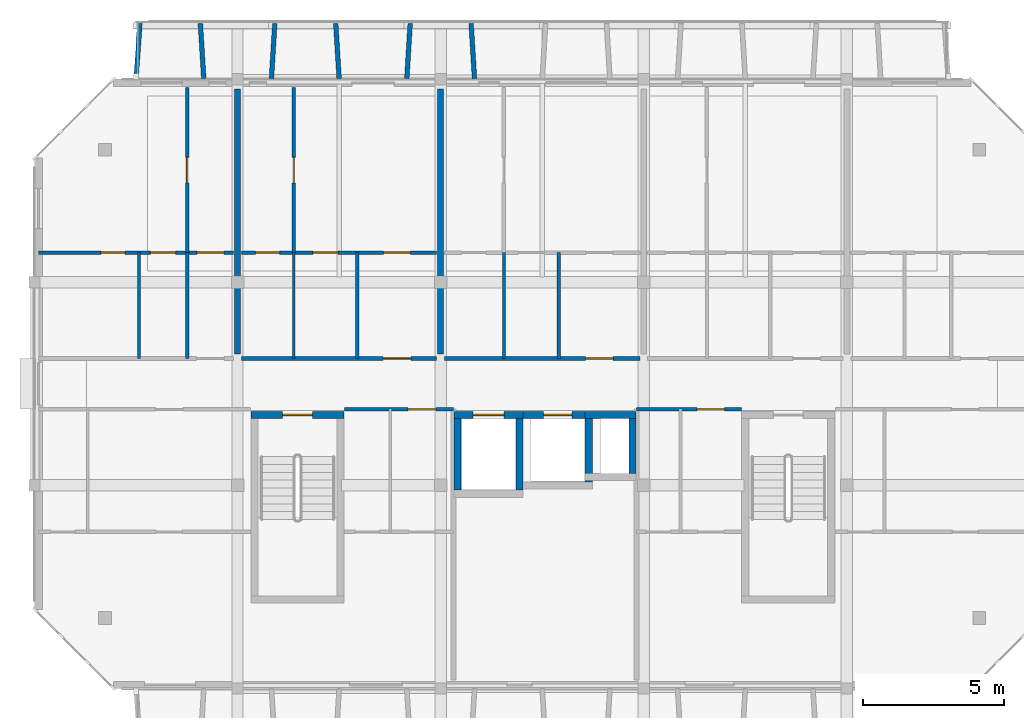
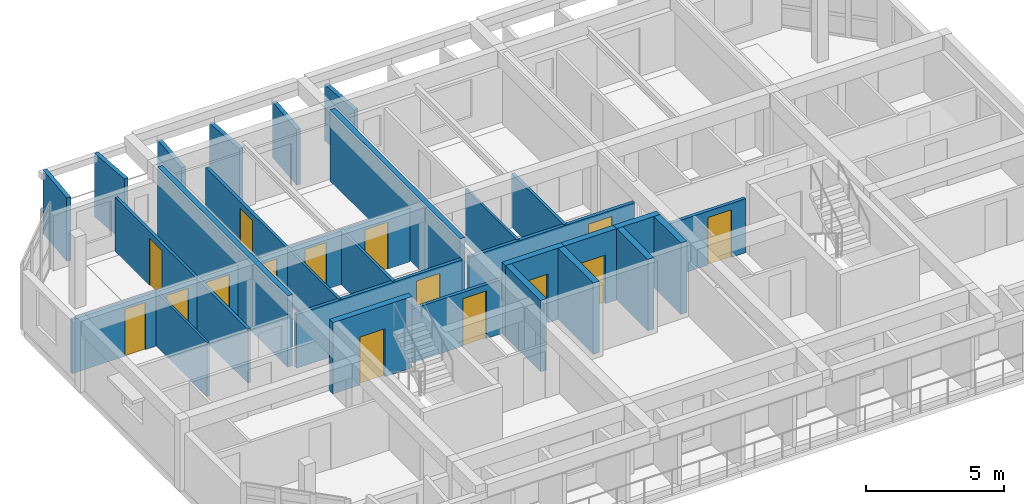
# One storey, part 12 of 19: 30 walls, 15 doors, 15 openings.
"""IFC4 building model written with IfcOpenShell, lengths in metres."""

import ifcopenshell
import ifcopenshell.guid

model = None  # the IFC model being written
_history = None  # IfcOwnerHistory: only IFC2X3 demands one
_inside = {}  # id of a spatial element -> (the spatial element, [elements in it])
_under = {}  # id of a project, library or spatial element -> (it, [spatial elements below it])
_declared = {}  # id of a project -> (the project, [libraries it declares])
_typed = {}  # id of a type object -> (the type object, [elements of that type])
_made_of = {}  # id of a material, layer set ... -> (it, [elements and type objects made of it])


def new_model(schema):
    """Start an empty IFC model of exactly this schema.

    Asked for "IFC4X3", IfcOpenShell would pick the latest addendum, in which some entities
    have other attributes; the version numbers below select the first issue.
    IFC2X3 requires an IfcOwnerHistory on every rooted entity: one is made here for all.
    """
    global model, _history
    if schema == "IFC4X3":
        model = ifcopenshell.file(schema_version=(4, 3, 0, 0))
    else:
        model = ifcopenshell.file(schema=schema)
    _inside.clear()
    _under.clear()
    _declared.clear()
    _typed.clear()
    _made_of.clear()
    _history = None
    if model.schema == "IFC2X3":
        org = make("IfcOrganization", Name="unknown")
        user = make(
            "IfcPersonAndOrganization",
            ThePerson=make("IfcPerson", FamilyName="unknown"),
            TheOrganization=org,
        )
        app = make(
            "IfcApplication",
            ApplicationDeveloper=org,
            Version="unknown",
            ApplicationFullName="unknown",
            ApplicationIdentifier="unknown",
        )
        _history = make(
            "IfcOwnerHistory",
            OwningUser=user,
            OwningApplication=app,
            ChangeAction="ADDED",
            CreationDate=0,
        )
    return model


def make(cls, **values):
    """One entity of the class cls with the attributes given. An attribute that is None is left unset."""
    return model.create_entity(
        cls, **{name: value for name, value in values.items() if value is not None}
    )


def rooted(cls, **values):
    """An entity with a GlobalId (a new one), such as an element, a storey or a relation."""
    return make(cls, GlobalId=ifcopenshell.guid.new(), OwnerHistory=_history, **values)


def si_unit(unit_type, name, prefix=None):
    """IfcSIUnit, for example si_unit("LENGTHUNIT", "METRE", prefix="MILLI")."""
    return make("IfcSIUnit", UnitType=unit_type, Prefix=prefix, Name=name)


def assignment(units):
    """IfcUnitAssignment: the units of a project."""
    return None if units is None else make("IfcUnitAssignment", Units=units)


def point(xyz):
    """IfcCartesianPoint."""
    return None if xyz is None else make("IfcCartesianPoint", Coordinates=xyz)


def direction(xyz):
    """IfcDirection."""
    return None if xyz is None else make("IfcDirection", DirectionRatios=xyz)


def frame(location, z_axis=None, x_axis=None):
    """IfcAxis2Placement3D, a coordinate frame: its origin and axes. An axis left out is left unset."""
    return make(
        "IfcAxis2Placement3D",
        Location=point(location),
        Axis=direction(z_axis),
        RefDirection=direction(x_axis),
    )


def frame_2d(location, x_axis=None):
    """IfcAxis2Placement2D, a coordinate frame in the plane: its origin and x axis."""
    return make(
        "IfcAxis2Placement2D", Location=point(location), RefDirection=direction(x_axis)
    )


def origin():
    """The frame at (0, 0, 0) with its axes left unset."""
    return frame((0.0, 0.0, 0.0))


def place(relative_to, where):
    """IfcLocalPlacement: puts the frame where relative to a parent placement (None: the world)."""
    return make(
        "IfcLocalPlacement", PlacementRelTo=relative_to, RelativePlacement=where
    )


def context(
    kind, dimensions, precision=None, world=None, true_north=None, identifier=None
):
    """IfcGeometricRepresentationContext, for example the 3D "Model" context."""
    return make(
        "IfcGeometricRepresentationContext",
        ContextIdentifier=identifier,
        ContextType=kind,
        CoordinateSpaceDimension=dimensions,
        Precision=precision,
        WorldCoordinateSystem=world,
        TrueNorth=true_north,
    )


def subcontext(parent, identifier, kind, view, scale=None):
    """IfcGeometricRepresentationSubContext, for example "Body" below "Model"."""
    return make(
        "IfcGeometricRepresentationSubContext",
        ContextIdentifier=identifier,
        ContextType=kind,
        ParentContext=parent,
        TargetScale=scale,
        TargetView=view,
    )


def project(units=None, contexts=None):
    """IfcProject with its units and contexts."""
    return rooted(
        "IfcProject",
        Name="project",
        RepresentationContexts=contexts,
        UnitsInContext=assignment(units),
    )


def spatial(cls, under=None, at=None, **own):
    """A site, building, storey or space (cls), placed at a placement, below another one or the project."""
    s = rooted(cls, ObjectPlacement=at, **own)
    if under is not None:
        _under.setdefault(under.id(), (under, []))[1].append(s)
    return s


def profile(cls, at=None, kind="AREA", **sizes):
    """A parametric profile (cls). Its sizes go by their IFC names, for example OverallWidth=200.0."""
    return make(cls, ProfileType=kind, Position=at, **sizes)


def rectangle(**sizes):
    """IfcRectangleProfileDef."""
    return profile("IfcRectangleProfileDef", **sizes)


def extrude(swept, where, along, depth):
    """IfcExtrudedAreaSolid: the profile swept, set in the frame where, extruded along a direction by depth."""
    return make(
        "IfcExtrudedAreaSolid",
        SweptArea=swept,
        Position=where,
        ExtrudedDirection=direction(along),
        Depth=depth,
    )


def shape(context_of_items, identifier, shape_type, items):
    """IfcShapeRepresentation: the items that make up one representation, for example the "Body"."""
    return make(
        "IfcShapeRepresentation",
        ContextOfItems=context_of_items,
        RepresentationIdentifier=identifier,
        RepresentationType=shape_type,
        Items=items,
    )


def material(Name=None, Category=None):
    """IfcMaterial."""
    return make("IfcMaterial", Name=Name, Category=Category)


def layer(
    of_material, thickness, ventilated=None, Name=None, Category=None, Priority=None
):
    """IfcMaterialLayer: one layer of a wall or slab, of a material (None: an air gap)."""
    return make(
        "IfcMaterialLayer",
        Material=of_material,
        LayerThickness=thickness,
        IsVentilated=ventilated,
        Name=Name,
        Category=Category,
        Priority=Priority,
    )


def layer_set(layers, Name=None):
    """IfcMaterialLayerSet."""
    return make("IfcMaterialLayerSet", MaterialLayers=layers, LayerSetName=Name)


def made_of(thing, what):
    """Note that an element or type object is made of a material, layer set ...; save() writes the relation."""
    if what is not None:
        _made_of.setdefault(what.id(), (what, []))[1].append(thing)
    return thing


def type_object(cls, material=None, **own):
    """A type object (cls), such as IfcWallType, which elements share."""
    return made_of(rooted(cls, **own), material)


def element(
    cls,
    number,
    at=None,
    inside=None,
    cuts=None,
    type_object=None,
    material=None,
    context=None,
    identifier="Body",
    shape_type=None,
    held_by="IfcProductDefinitionShape",
    body=None,
    shapes=None,
    **own,
):
    """One element of the class cls, such as IfcWall. Its Tag is "e" and its number.

    at: its placement. inside: the storey or other place that contains it. cuts: it is an
    opening in that element (IfcRelVoidsElement). A single representation is given by context,
    identifier, shape_type and body (its items); several are given by shapes. held_by: the class
    of the entity that holds the representations. save() writes the other relations.
    """
    e = rooted(cls, Tag="e%d" % number, ObjectPlacement=at, **own)
    if body is not None:
        shapes = [shape(context, identifier, shape_type, body)]
    if shapes is not None:
        e.Representation = make(held_by, Representations=shapes)
    if inside is not None:
        _inside.setdefault(inside.id(), (inside, []))[1].append(e)
    if cuts is not None:
        rooted(
            "IfcRelVoidsElement", RelatingBuildingElement=cuts, RelatedOpeningElement=e
        )
    if type_object is not None:
        _typed.setdefault(type_object.id(), (type_object, []))[1].append(e)
    return made_of(e, material)


def fill(opening, filler):
    """IfcRelFillsElement: the door or window that sits in an opening."""
    return rooted(
        "IfcRelFillsElement",
        RelatingOpeningElement=opening,
        RelatedBuildingElement=filler,
    )


def aggregate(whole, parts):
    """IfcRelAggregates: a whole, such as a stair, and the parts it consists of."""
    return rooted("IfcRelAggregates", RelatingObject=whole, RelatedObjects=parts)


def save(model, path):
    """Write the relations noted so far, then the file.

    IfcRelAggregates (storeys below a building ...), IfcRelContainedInSpatialStructure (elements
    in a storey), IfcRelDefinesByType, IfcRelAssociatesMaterial and IfcRelDeclares: one each for
    every whole, place, type object, material and project.
    """
    for whole, parts in _under.values():
        aggregate(whole, parts)
    for where, things in _inside.values():
        rooted(
            "IfcRelContainedInSpatialStructure",
            RelatedElements=things,
            RelatingStructure=where,
        )
    for kind, things in _typed.values():
        rooted("IfcRelDefinesByType", RelatedObjects=things, RelatingType=kind)
    for what, things in _made_of.values():
        rooted("IfcRelAssociatesMaterial", RelatedObjects=things, RelatingMaterial=what)
    for by, libraries in _declared.values():
        rooted("IfcRelDeclares", RelatingContext=by, RelatedDefinitions=libraries)
    model.write(path)


model = new_model("IFC4")

# Units and contexts
model_context = context("Model", 3, precision=1e-05, world=origin(), true_north=direction((0.0, 1.0)))
body_context = subcontext(model_context, "Body", "Model", "MODEL_VIEW")
ifc_project = project(units=[si_unit("LENGTHUNIT", "METRE"), si_unit("AREAUNIT", "SQUARE_METRE"), si_unit("VOLUMEUNIT", "CUBIC_METRE"), si_unit("PLANEANGLEUNIT", "RADIAN"), si_unit("MASSUNIT", "GRAM", prefix="KILO")], contexts=[model_context])

# Site, building, storey
site_placement = place(None, origin())
site = spatial("IfcSite", under=ifc_project, at=site_placement, CompositionType="ELEMENT")
building_placement = place(site_placement, origin())
building = spatial("IfcBuilding", under=site, at=building_placement, Name="Ochrevale Crest", CompositionType="ELEMENT")
storey_placement = place(building_placement, frame((0.0, 0.0, 43.35009765625)))
storey = spatial("IfcBuildingStorey", under=building, at=storey_placement, Name="L13", CompositionType="ELEMENT", Elevation=43.35009765625)

# Wall, opening, door
ifc_material_1 = material(Name="Gypsum plasterboard", Category="gypsum")
ifc_layer_1 = layer(ifc_material_1, 0.139892578125)
ifc_layer_set_1 = layer_set([ifc_layer_1], Name="Gypsum plasterboard")
wall_type_1 = type_object("IfcWallType", Name="WL-COR-140", PredefinedType="PARTITIONING", material=ifc_layer_set_1)
wall_1_placement = place(storey_placement, frame((136.93994140625, 83.699951171875, 0.0), z_axis=(0.0, 0.0, 1.0), x_axis=(1.0, 0.0, 0.0)))
wall_1 = element("IfcWall", 1, at=wall_1_placement, inside=storey, type_object=wall_type_1, Name="Apartment D-L13-U2 corridor wall", PredefinedType="PARTITIONING", context=body_context, shape_type="SweptSolid", body=[
    extrude(rectangle(XDim=6.920166015625, YDim=0.139892578125, at=frame_2d((3.4599609375, 0.0))), origin(), (0.0, 0.0, 1.0), 2.3798828125),
])
opening_1_placement = place(wall_1_placement, frame((5.02001953125, 0.0, 0.0)))
opening_1 = element("IfcOpeningElement", 2, at=opening_1_placement, cuts=wall_1, Name="Opening FD01", PredefinedType="OPENING", context=body_context, shape_type="SweptSolid", body=[
    extrude(rectangle(XDim=0.97998046875, YDim=2.10009765625, at=frame_2d((0.489990234375, 1.050048828125))), frame((0.0, 0.080078125, 0.0), z_axis=(0.0, -1.0, 0.0), x_axis=(1.0, 0.0, 0.0)), (0.0, 0.0, 1.0), 0.159912109375),
])
ifc_material_2 = material(Name="Solid-core FSC hardwood", Category="wood")
door_type_1 = type_object("IfcDoorType", Name="DR-APT-950", OperationType="NOTDEFINED", PredefinedType="DOOR", material=ifc_material_2)
door_1_placement = place(opening_1_placement, origin())
door_1 = element("IfcDoor", 3, at=door_1_placement, inside=storey, type_object=door_type_1, Name="Apartment D-L13-U2 entrance door", OperationType="SINGLE_SWING_LEFT", OverallHeight=2.10009765625, OverallWidth=0.97998046875, PredefinedType="DOOR", context=body_context, shape_type="SweptSolid", body=[
    extrude(rectangle(XDim=0.97998046875, YDim=2.10009765625, at=frame_2d((0.489990234375, 1.050048828125))), frame((0.0, 0.02490234375, 0.0), z_axis=(0.0, -1.0, 0.0), x_axis=(1.0, 0.0, 0.0)), (0.0, 0.0, 1.0), 0.050048828125),
])
fill(opening_1, door_1)

wall_2_placement = place(storey_placement, frame((144.139892578125, 83.699951171875, 0.0), z_axis=(0.0, 0.0, 1.0), x_axis=(1.0, 0.0, 0.0)))
wall_2 = element("IfcWall", 4, at=wall_2_placement, inside=storey, type_object=wall_type_1, Name="Apartment D-L13-U3 corridor wall", PredefinedType="PARTITIONING", context=body_context, shape_type="SweptSolid", body=[
    extrude(rectangle(XDim=6.920166015625, YDim=0.139892578125, at=frame_2d((3.4599609375, 0.0))), origin(), (0.0, 0.0, 1.0), 2.3798828125),
])
opening_2_placement = place(wall_2_placement, frame((5.97509765625, 0.0, 0.0), z_axis=(0.0, 0.0, 1.0), x_axis=(-1.0, 0.0, 0.0)))
opening_2 = element("IfcOpeningElement", 5, at=opening_2_placement, cuts=wall_2, Name="Opening FD01", PredefinedType="OPENING", context=body_context, shape_type="SweptSolid", body=[
    extrude(rectangle(XDim=0.97998046875, YDim=2.10009765625, at=frame_2d((0.489990234375, 1.050048828125))), frame((0.0, 0.080078125, 0.0), z_axis=(0.0, -1.0, 0.0), x_axis=(1.0, 0.0, 0.0)), (0.0, 0.0, 1.0), 0.159912109375),
])
door_2_placement = place(opening_2_placement, origin())
door_2 = element("IfcDoor", 6, at=door_2_placement, inside=storey, type_object=door_type_1, Name="Apartment D-L13-U3 entrance door", OperationType="SINGLE_SWING_RIGHT", OverallHeight=2.10009765625, OverallWidth=0.97998046875, PredefinedType="DOOR", context=body_context, shape_type="SweptSolid", body=[
    extrude(rectangle(XDim=0.97998046875, YDim=2.10009765625, at=frame_2d((0.489990234375, 1.050048828125))), frame((0.0, 0.02490234375, 0.0), z_axis=(0.0, -1.0, 0.0), x_axis=(1.0, 0.0, 0.0)), (0.0, 0.0, 1.0), 0.050048828125),
])
fill(opening_2, door_2)

wall_3_placement = place(storey_placement, frame((140.590087890625, 81.89990234375, 0.0), z_axis=(0.0, 0.0, 1.0), x_axis=(1.0, 0.0, 0.0)))
wall_3 = element("IfcWall", 7, at=wall_3_placement, inside=storey, type_object=wall_type_1, Name="Suite D-L13-MW corridor wall", PredefinedType="PARTITIONING", context=body_context, shape_type="SweptSolid", body=[
    extrude(rectangle(XDim=3.869873046875, YDim=0.139892578125, at=frame_2d((1.93505859375, 0.0))), origin(), (0.0, 0.0, 1.0), 2.3798828125),
])
opening_3_placement = place(wall_3_placement, frame((2.2578125, 0.0, 0.0)))
opening_3 = element("IfcOpeningElement", 8, at=opening_3_placement, cuts=wall_3, Name="Opening FD01", PredefinedType="OPENING", context=body_context, shape_type="SweptSolid", body=[
    extrude(rectangle(XDim=0.97998046875, YDim=2.10009765625, at=frame_2d((0.489990234375, 1.050048828125))), frame((0.0, 0.080078125, 0.0), z_axis=(0.0, -1.0, 0.0), x_axis=(1.0, 0.0, 0.0)), (0.0, 0.0, 1.0), 0.159912109375),
])
door_3_placement = place(opening_3_placement, origin())
door_3 = element("IfcDoor", 9, at=door_3_placement, inside=storey, type_object=door_type_1, Name="Suite D-L13-MW entrance door", OperationType="SINGLE_SWING_LEFT", OverallHeight=2.10009765625, OverallWidth=0.97998046875, PredefinedType="DOOR", context=body_context, shape_type="SweptSolid", body=[
    extrude(rectangle(XDim=0.97998046875, YDim=2.10009765625, at=frame_2d((0.489990234375, 1.050048828125))), frame((0.0, 0.02490234375, 0.0), z_axis=(0.0, -1.0, 0.0), x_axis=(1.0, 0.0, 0.0)), (0.0, 0.0, 1.0), 0.050048828125),
])
fill(opening_3, door_3)

wall_4_placement = place(storey_placement, frame((150.93994140625, 81.89990234375, 0.0), z_axis=(0.0, 0.0, 1.0), x_axis=(1.0, 0.0, 0.0)))
wall_4 = element("IfcWall", 10, at=wall_4_placement, inside=storey, type_object=wall_type_1, Name="Suite D-L13-ME corridor wall", PredefinedType="PARTITIONING", context=body_context, shape_type="SweptSolid", body=[
    extrude(rectangle(XDim=3.719970703125, YDim=0.139892578125, at=frame_2d((1.85986328125, 0.0))), origin(), (0.0, 0.0, 1.0), 2.3798828125),
])
opening_4_placement = place(wall_4_placement, frame((3.131103515625, 0.0, 0.0), z_axis=(0.0, 0.0, 1.0), x_axis=(-1.0, 0.0, 0.0)))
opening_4 = element("IfcOpeningElement", 11, at=opening_4_placement, cuts=wall_4, Name="Opening FD01", PredefinedType="OPENING", context=body_context, shape_type="SweptSolid", body=[
    extrude(rectangle(XDim=0.97998046875, YDim=2.10009765625, at=frame_2d((0.489990234375, 1.050048828125))), frame((0.0, 0.080078125, 0.0), z_axis=(0.0, -1.0, 0.0), x_axis=(1.0, 0.0, 0.0)), (0.0, 0.0, 1.0), 0.159912109375),
])
door_4_placement = place(opening_4_placement, origin())
door_4 = element("IfcDoor", 12, at=door_4_placement, inside=storey, type_object=door_type_1, Name="Suite D-L13-ME entrance door", OperationType="SINGLE_SWING_RIGHT", OverallHeight=2.10009765625, OverallWidth=0.97998046875, PredefinedType="DOOR", context=body_context, shape_type="SweptSolid", body=[
    extrude(rectangle(XDim=0.97998046875, YDim=2.10009765625, at=frame_2d((0.489990234375, 1.050048828125))), frame((0.0, 0.02490234375, 0.0), z_axis=(0.0, -1.0, 0.0), x_axis=(1.0, 0.0, 0.0)), (0.0, 0.0, 1.0), 0.050048828125),
])
fill(opening_4, door_4)

ifc_material_3 = material(Name="Precast concrete C50/60", Category="concrete")
ifc_layer_2 = layer(ifc_material_3, 0.2548828125)
ifc_layer_set_2 = layer_set([ifc_layer_2], Name="Precast concrete C50/60")
wall_type_2 = type_object("IfcWallType", Name="WL-CORE-255", PredefinedType="SHEAR", material=ifc_layer_set_2)
wall_5_placement = place(storey_placement, frame((137.2724609375, 81.699951171875, 0.0), z_axis=(0.0, 0.0, 1.0), x_axis=(1.0, 0.0, 0.0)))
wall_5 = element("IfcWall", 13, at=wall_5_placement, inside=storey, type_object=wall_type_2, Name="Block D L13 Stair 1 precast core shear wall N", PredefinedType="SHEAR", context=body_context, shape_type="SweptSolid", body=[
    extrude(rectangle(XDim=3.304931640625, YDim=0.2548828125, at=frame_2d((1.65234375, 0.0))), origin(), (0.0, 0.0, 1.0), 3.14990234375),
])
opening_5_placement = place(wall_5_placement, frame((2.177490234375, 0.0, 0.0), z_axis=(0.0, 0.0, 1.0), x_axis=(-1.0, 0.0, 0.0)))
opening_5 = element("IfcOpeningElement", 14, at=opening_5_placement, cuts=wall_5, Name="Opening FD03", PredefinedType="OPENING", context=body_context, shape_type="SweptSolid", body=[
    extrude(rectangle(XDim=1.050048828125, YDim=2.1201171875, at=frame_2d((0.52490234375, 1.06005859375))), frame((0.0, 0.137451171875, 0.0), z_axis=(0.0, -1.0, 0.0), x_axis=(1.0, 0.0, 0.0)), (0.0, 0.0, 1.0), 0.27490234375),
])
door_type_2 = type_object("IfcDoorType", Name="DR-ST-1050", OperationType="NOTDEFINED", PredefinedType="DOOR", material=ifc_material_2)
door_5_placement = place(opening_5_placement, origin())
door_5 = element("IfcDoor", 15, at=door_5_placement, inside=storey, type_object=door_type_2, Name="Block D L13 fire stair 1 door", OperationType="SINGLE_SWING_RIGHT", OverallHeight=2.1201171875, OverallWidth=1.050048828125, PredefinedType="DOOR", context=body_context, shape_type="SweptSolid", body=[
    extrude(rectangle(XDim=1.050048828125, YDim=2.1201171875, at=frame_2d((0.52490234375, 1.06005859375))), frame((0.0, 0.02490234375, 0.0), z_axis=(0.0, -1.0, 0.0), x_axis=(1.0, 0.0, 0.0)), (0.0, 0.0, 1.0), 0.050048828125),
])
fill(opening_5, door_5)

wall_6_placement = place(storey_placement, frame((144.472412109375, 81.699951171875, 0.0), z_axis=(0.0, 0.0, 1.0), x_axis=(1.0, 0.0, 0.0)))
wall_6 = element("IfcWall", 16, at=wall_6_placement, inside=storey, type_object=wall_type_2, Name="Block D L13 Lift 1 precast shaft shear wall N", PredefinedType="SHEAR", context=body_context, shape_type="SweptSolid", body=[
    extrude(rectangle(XDim=2.455078125, YDim=0.2548828125, at=frame_2d((1.2275390625, 0.0))), origin(), (0.0, 0.0, 1.0), 3.14990234375),
])
opening_6_placement = place(wall_6_placement, frame((0.677490234375, 0.0, 0.0)))
opening_6 = element("IfcOpeningElement", 17, at=opening_6_placement, cuts=wall_6, Name="Opening LD01", PredefinedType="OPENING", context=body_context, shape_type="SweptSolid", body=[
    extrude(rectangle(XDim=1.10009765625, YDim=2.14990234375, at=frame_2d((0.550048828125, 1.074951171875))), frame((0.0, 0.137451171875, 0.0), z_axis=(0.0, -1.0, 0.0), x_axis=(1.0, 0.0, 0.0)), (0.0, 0.0, 1.0), 0.27490234375),
])
door_type_3 = type_object("IfcDoorType", Name="DR-LIFT-1100", OperationType="NOTDEFINED", PredefinedType="DOOR", material=ifc_material_2)
door_6_placement = place(opening_6_placement, origin())
door_6 = element("IfcDoor", 18, at=door_6_placement, inside=storey, type_object=door_type_3, Name="Lift LF-D1 L13 sliding landing door", OperationType="SLIDING_TO_LEFT", OverallHeight=2.14990234375, OverallWidth=1.10009765625, PredefinedType="DOOR", context=body_context, shape_type="SweptSolid", body=[
    extrude(rectangle(XDim=1.10009765625, YDim=2.14990234375, at=frame_2d((0.550048828125, 1.074951171875))), frame((0.0, 0.02490234375, 0.0), z_axis=(0.0, -1.0, 0.0), x_axis=(1.0, 0.0, 0.0)), (0.0, 0.0, 1.0), 0.050048828125),
])
fill(opening_6, door_6)

# Walls
for number, where, z_axis, x_axis, name in (
    (19, (144.60009765625, 79.027587890625, 0.0), (0.0, 0.0, 1.0), (0.0, 1.0, 0.0), "Block D L13 Lift 1 precast shaft shear wall W"),
    (20, (146.800048828125, 79.027587890625, 0.0), (0.0, 0.0, 1.0), (0.0, 1.0, 0.0), "Block D L13 Lift 1 precast shaft shear wall E"),
):
    element("IfcWall", number, at=place(storey_placement, frame(where, z_axis=z_axis, x_axis=x_axis)), inside=storey, type_object=wall_type_2, Name=name, PredefinedType="SHEAR", context=body_context, shape_type="SweptSolid", body=[
        extrude(rectangle(XDim=2.544921875, YDim=0.2548828125, at=frame_2d((1.2724609375, 0.0))), origin(), (0.0, 0.0, 1.0), 3.14990234375),
    ])

# Wall, opening, door
wall_7_placement = place(storey_placement, frame((146.922607421875, 81.699951171875, 0.0), z_axis=(0.0, 0.0, 1.0), x_axis=(1.0, 0.0, 0.0)))
wall_7 = element("IfcWall", 21, at=wall_7_placement, inside=storey, type_object=wall_type_2, Name="Block D L13 Lift 2 precast shaft shear wall N", PredefinedType="SHEAR", context=body_context, shape_type="SweptSolid", body=[
    extrude(rectangle(XDim=2.454833984375, YDim=0.2548828125, at=frame_2d((1.2275390625, 0.0))), origin(), (0.0, 0.0, 1.0), 3.14990234375),
])
opening_7_placement = place(wall_7_placement, frame((0.7275390625, 0.0, 0.0)))
opening_7 = element("IfcOpeningElement", 22, at=opening_7_placement, cuts=wall_7, Name="Opening LD02", PredefinedType="OPENING", context=body_context, shape_type="SweptSolid", body=[
    extrude(rectangle(XDim=1.0, YDim=2.14990234375, at=frame_2d((0.5, 1.074951171875))), frame((0.0, 0.137451171875, 0.0), z_axis=(0.0, -1.0, 0.0), x_axis=(1.0, 0.0, 0.0)), (0.0, 0.0, 1.0), 0.27490234375),
])
door_type_4 = type_object("IfcDoorType", Name="DR-LIFT-1000", OperationType="NOTDEFINED", PredefinedType="DOOR", material=ifc_material_2)
door_7_placement = place(opening_7_placement, origin())
door_7 = element("IfcDoor", 23, at=door_7_placement, inside=storey, type_object=door_type_4, Name="Lift LP-D2 L13 sliding landing door", OperationType="SLIDING_TO_RIGHT", OverallHeight=2.14990234375, OverallWidth=1.0, PredefinedType="DOOR", context=body_context, shape_type="SweptSolid", body=[
    extrude(rectangle(XDim=1.0, YDim=2.14990234375, at=frame_2d((0.5, 1.074951171875))), frame((0.0, 0.02490234375, 0.0), z_axis=(0.0, -1.0, 0.0), x_axis=(1.0, 0.0, 0.0)), (0.0, 0.0, 1.0), 0.050048828125),
])
fill(opening_7, door_7)

# Walls
wall_8_placement = place(storey_placement, frame((149.25, 79.327392578125, 0.0), z_axis=(0.0, 0.0, 1.0), x_axis=(0.0, 1.0, 0.0)))
element("IfcWall", 24, at=wall_8_placement, inside=storey, type_object=wall_type_2, Name="Block D L13 Lift 2 precast shaft shear wall E", PredefinedType="SHEAR", context=body_context, shape_type="SweptSolid", body=[
    extrude(rectangle(XDim=2.2451171875, YDim=0.2548828125, at=frame_2d((1.12255859375, 0.0))), origin(), (0.0, 0.0, 1.0), 3.14990234375),
])
wall_9_placement = place(storey_placement, frame((149.12255859375, 81.699951171875, 0.0), z_axis=(0.0, 0.0, 1.0), x_axis=(1.0, 0.0, 0.0)))
element("IfcWall", 25, at=wall_9_placement, inside=storey, type_object=wall_type_2, Name="Block D L13 services riser shaft core wall N", PredefinedType="SHEAR", context=body_context, shape_type="SweptSolid", body=[
    extrude(rectangle(XDim=1.804931640625, YDim=0.2548828125, at=frame_2d((0.90234375, 0.0))), origin(), (0.0, 0.0, 1.0), 3.14990234375),
])
wall_10_placement = place(storey_placement, frame((150.800048828125, 79.62744140625, 0.0), z_axis=(0.0, 0.0, 1.0), x_axis=(0.0, 1.0, 0.0)))
element("IfcWall", 26, at=wall_10_placement, inside=storey, type_object=wall_type_2, Name="Block D L13 services riser shaft core wall E", PredefinedType="SHEAR", context=body_context, shape_type="SweptSolid", body=[
    extrude(rectangle(XDim=1.945068359375, YDim=0.2548828125, at=frame_2d((0.97265625, 0.0))), origin(), (0.0, 0.0, 1.0), 3.14990234375),
])
ifc_material_4 = material(Name="Precast concrete C40/50", Category="concrete")
ifc_layer_3 = layer(ifc_material_4, 0.1650390625)
ifc_layer_set_3 = layer_set([ifc_layer_3], Name="Precast concrete C40/50")
wall_type_3 = type_object("IfcWallType", Name="WL-HC-CHEEK-165", PredefinedType="ELEMENTEDWALL", material=ifc_layer_set_3)
wall_11_placement = place(storey_placement, frame((133.199951171875, 93.6201171875, 0.0), z_axis=(0.0, 0.0, 1.0), x_axis=(0.071317687608, 0.997453651772, 0.0)))
element("IfcWall", 27, at=wall_11_placement, inside=storey, type_object=wall_type_3, Name="Block D L13 N precast honeycomb cheek 1", PredefinedType="ELEMENTEDWALL", context=body_context, shape_type="SweptSolid", body=[
    extrude(rectangle(XDim=1.96484375, YDim=0.1650390625, at=frame_2d((0.982421875, 0.0))), origin(), (0.0, 0.0, 1.0), 2.7998046875),
])
wall_12_placement = place(storey_placement, frame((135.60009765625, 93.6201171875, 0.0), z_axis=(0.0, 0.0, 1.0), x_axis=(-0.061170732449, 0.998127317276, 0.0)))
element("IfcWall", 28, at=wall_12_placement, inside=storey, type_object=wall_type_3, Name="Block D L13 N precast honeycomb cheek 2", PredefinedType="ELEMENTEDWALL", context=body_context, shape_type="SweptSolid", body=[
    extrude(rectangle(XDim=1.963623046875, YDim=0.1650390625, at=frame_2d((0.98193359375, 0.0))), origin(), (0.0, 0.0, 1.0), 2.7998046875),
])
for number, where, z_axis, x_axis, name in (
    (29, (138.0, 93.6201171875, 0.0), (0.0, 0.0, 1.0), (0.061170732449, 0.998127317276, 0.0), "Block D L13 N precast honeycomb cheek 3"),
    (30, (140.39990234375, 93.6201171875, 0.0), (0.0, 0.0, 1.0), (-0.061046865508, 0.998134900808, 0.0), "Block D L13 N precast honeycomb cheek 4"),
    (31, (142.800048828125, 93.6201171875, 0.0), (0.0, 0.0, 1.0), (0.061046865508, 0.998134900808, 0.0), "Block D L13 N precast honeycomb cheek 5"),
):
    element("IfcWall", number, at=place(storey_placement, frame(where, z_axis=z_axis, x_axis=x_axis)), inside=storey, type_object=wall_type_3, Name=name, PredefinedType="ELEMENTEDWALL", context=body_context, shape_type="SweptSolid", body=[
        extrude(rectangle(XDim=1.963623046875, YDim=0.1650390625, at=frame_2d((0.98193359375, 0.0))), origin(), (0.0, 0.0, 1.0), 2.449951171875),
    ])
wall_13_placement = place(storey_placement, frame((145.199951171875, 93.6201171875, 0.0), z_axis=(0.0, 0.0, 1.0), x_axis=(-0.061046865508, 0.998134900808, 0.0)))
element("IfcWall", 32, at=wall_13_placement, inside=storey, type_object=wall_type_3, Name="Block D L13 N precast honeycomb cheek 6", PredefinedType="ELEMENTEDWALL", context=body_context, shape_type="SweptSolid", body=[
    extrude(rectangle(XDim=1.963623046875, YDim=0.1650390625, at=frame_2d((0.98193359375, 0.0))), origin(), (0.0, 0.0, 1.0), 2.47998046875),
])
ifc_layer_4 = layer(ifc_material_1, 0.1201171875)
ifc_layer_set_4 = layer_set([ifc_layer_4], Name="Gypsum plasterboard")
wall_type_4 = type_object("IfcWallType", Name="WL-PART-120", PredefinedType="PARTITIONING", material=ifc_layer_set_4)
wall_14_placement = place(storey_placement, frame((135.010009765625, 83.699951171875, 0.0), z_axis=(0.0, 0.0, 1.0), x_axis=(0.0, 1.0, 0.0)))
element("IfcWall", 33, at=wall_14_placement, inside=storey, type_object=wall_type_4, Name="Apartment D-L13-U1 kitchen-foyer wall", PredefinedType="PARTITIONING", context=body_context, shape_type="SweptSolid", body=[
    extrude(rectangle(XDim=3.75, YDim=0.1201171875, at=frame_2d((1.875, 0.0))), origin(), (0.0, 0.0, 1.0), 2.3798828125),
])

# Wall, openings, doors
wall_15_placement = place(storey_placement, frame((129.739990234375, 87.449951171875, 0.0), z_axis=(0.0, 0.0, 1.0), x_axis=(1.0, 0.0, 0.0)))
wall_15 = element("IfcWall", 34, at=wall_15_placement, inside=storey, type_object=wall_type_4, Name="Apartment D-L13-U1 central partition", PredefinedType="PARTITIONING", context=body_context, shape_type="SweptSolid", body=[
    extrude(rectangle(XDim=6.919921875, YDim=0.1201171875, at=frame_2d((3.4599609375, 0.0))), origin(), (0.0, 0.0, 1.0), 2.3798828125),
])
opening_8_placement = place(wall_15_placement, frame((2.2099609375, 0.0, 0.0)))
opening_8 = element("IfcOpeningElement", 35, at=opening_8_placement, cuts=wall_15, Name="Opening ID01", PredefinedType="OPENING", context=body_context, shape_type="SweptSolid", body=[
    extrude(rectangle(XDim=0.85009765625, YDim=2.080078125, at=frame_2d((0.425048828125, 1.0400390625))), frame((0.0, 0.070068359375, 0.0), z_axis=(0.0, -1.0, 0.0), x_axis=(1.0, 0.0, 0.0)), (0.0, 0.0, 1.0), 0.14013671875),
])
opening_9_placement = place(wall_15_placement, frame((4.864990234375, 0.0, 0.0), z_axis=(0.0, 0.0, 1.0), x_axis=(-1.0, 0.0, 0.0)))
opening_9 = element("IfcOpeningElement", 36, at=opening_9_placement, cuts=wall_15, Name="Opening ID02", PredefinedType="OPENING", context=body_context, shape_type="SweptSolid", body=[
    extrude(rectangle(XDim=0.89990234375, YDim=2.080078125, at=frame_2d((0.449951171875, 1.0400390625))), frame((0.0, 0.070068359375, 0.0), z_axis=(0.0, -1.0, 0.0), x_axis=(1.0, 0.0, 0.0)), (0.0, 0.0, 1.0), 0.14013671875),
])
opening_10_placement = place(wall_15_placement, frame((5.6201171875, 0.0, 0.0)))
opening_10 = element("IfcOpeningElement", 37, at=opening_10_placement, cuts=wall_15, Name="Opening ID06", PredefinedType="OPENING", context=body_context, shape_type="SweptSolid", body=[
    extrude(rectangle(XDim=0.949951171875, YDim=2.080078125, at=frame_2d((0.47509765625, 1.0400390625))), frame((0.0, 0.070068359375, 0.0), z_axis=(0.0, -1.0, 0.0), x_axis=(1.0, 0.0, 0.0)), (0.0, 0.0, 1.0), 0.14013671875),
])
door_type_5 = type_object("IfcDoorType", Name="DR-INT-900", OperationType="NOTDEFINED", PredefinedType="DOOR", material=ifc_material_2)
door_8_placement = place(opening_9_placement, origin())
door_8 = element("IfcDoor", 38, at=door_8_placement, inside=storey, type_object=door_type_5, Name="Apartment D-L13-U1 Kitchen door", OperationType="SINGLE_SWING_RIGHT", OverallHeight=2.080078125, OverallWidth=0.89990234375, PredefinedType="DOOR", context=body_context, shape_type="SweptSolid", body=[
    extrude(rectangle(XDim=0.89990234375, YDim=2.080078125, at=frame_2d((0.449951171875, 1.0400390625))), frame((0.0, 0.02490234375, 0.0), z_axis=(0.0, -1.0, 0.0), x_axis=(1.0, 0.0, 0.0)), (0.0, 0.0, 1.0), 0.050048828125),
])
fill(opening_9, door_8)
door_type_6 = type_object("IfcDoorType", Name="DR-INT-950", OperationType="NOTDEFINED", PredefinedType="DOOR", material=ifc_material_2)
door_9_placement = place(opening_10_placement, origin())
door_9 = element("IfcDoor", 39, at=door_9_placement, inside=storey, type_object=door_type_6, Name="Apartment D-L13-U1 Living Foyer door", OperationType="SINGLE_SWING_LEFT", OverallHeight=2.080078125, OverallWidth=0.949951171875, PredefinedType="DOOR", context=body_context, shape_type="SweptSolid", body=[
    extrude(rectangle(XDim=0.949951171875, YDim=2.080078125, at=frame_2d((0.47509765625, 1.0400390625))), frame((0.0, 0.02490234375, 0.0), z_axis=(0.0, -1.0, 0.0), x_axis=(1.0, 0.0, 0.0)), (0.0, 0.0, 1.0), 0.050048828125),
])
fill(opening_10, door_9)
door_type_7 = type_object("IfcDoorType", Name="DR-WC-850", OperationType="NOTDEFINED", PredefinedType="DOOR", material=ifc_material_2)
door_10_placement = place(opening_8_placement, origin())
door_10 = element("IfcDoor", 40, at=door_10_placement, inside=storey, type_object=door_type_7, Name="Apartment D-L13-U1 Bathroom door", OperationType="SINGLE_SWING_LEFT", OverallHeight=2.080078125, OverallWidth=0.85009765625, PredefinedType="DOOR", context=body_context, shape_type="SweptSolid", body=[
    extrude(rectangle(XDim=0.85009765625, YDim=2.080078125, at=frame_2d((0.425048828125, 1.0400390625))), frame((0.0, 0.02490234375, 0.0), z_axis=(0.0, -1.0, 0.0), x_axis=(1.0, 0.0, 0.0)), (0.0, 0.0, 1.0), 0.050048828125),
])
fill(opening_8, door_10)

# Wall, opening, door
wall_16_placement = place(storey_placement, frame((135.010009765625, 87.449951171875, 0.0), z_axis=(0.0, 0.0, 1.0), x_axis=(0.0, 1.0, 0.0)))
wall_16 = element("IfcWall", 41, at=wall_16_placement, inside=storey, type_object=wall_type_4, Name="Apartment D-L13-U1 bedroom partition", PredefinedType="PARTITIONING", context=body_context, shape_type="SweptSolid", body=[
    extrude(rectangle(XDim=5.85009765625, YDim=0.1201171875, at=frame_2d((2.925048828125, 0.0))), origin(), (0.0, 0.0, 1.0), 2.3798828125),
])
opening_11_placement = place(wall_16_placement, frame((3.375, 0.0, 0.0), z_axis=(0.0, 0.0, 1.0), x_axis=(-1.0, 0.0, 0.0)))
opening_11 = element("IfcOpeningElement", 42, at=opening_11_placement, cuts=wall_16, Name="Opening ID02", PredefinedType="OPENING", context=body_context, shape_type="SweptSolid", body=[
    extrude(rectangle(XDim=0.89990234375, YDim=2.080078125, at=frame_2d((0.449951171875, 1.0400390625))), frame((0.0, 0.070068359375, 0.0), z_axis=(0.0, -1.0, 0.0), x_axis=(1.0, 0.0, 0.0)), (0.0, 0.0, 1.0), 0.14013671875),
])
door_11_placement = place(opening_11_placement, origin())
door_11 = element("IfcDoor", 43, at=door_11_placement, inside=storey, type_object=door_type_5, Name="Apartment D-L13-U1 Double Bedroom door", OperationType="SINGLE_SWING_RIGHT", OverallHeight=2.080078125, OverallWidth=0.89990234375, PredefinedType="DOOR", context=body_context, shape_type="SweptSolid", body=[
    extrude(rectangle(XDim=0.89990234375, YDim=2.080078125, at=frame_2d((0.449951171875, 1.0400390625))), frame((0.0, 0.02490234375, 0.0), z_axis=(0.0, -1.0, 0.0), x_axis=(1.0, 0.0, 0.0)), (0.0, 0.0, 1.0), 0.050048828125),
])
fill(opening_11, door_11)

# Wall
wall_17_placement = place(storey_placement, frame((141.0400390625, 83.699951171875, 0.0), z_axis=(0.0, 0.0, 1.0), x_axis=(0.0, 1.0, 0.0)))
element("IfcWall", 44, at=wall_17_placement, inside=storey, type_object=wall_type_4, Name="Apartment D-L13-U2 kitchen-foyer wall", PredefinedType="PARTITIONING", context=body_context, shape_type="SweptSolid", body=[
    extrude(rectangle(XDim=3.75, YDim=0.1201171875, at=frame_2d((1.875, 0.0))), origin(), (0.0, 0.0, 1.0), 2.3798828125),
])

# Wall, openings, doors
wall_18_placement = place(storey_placement, frame((136.93994140625, 87.449951171875, 0.0), z_axis=(0.0, 0.0, 1.0), x_axis=(1.0, 0.0, 0.0)))
wall_18 = element("IfcWall", 45, at=wall_18_placement, inside=storey, type_object=wall_type_4, Name="Apartment D-L13-U2 central partition", PredefinedType="PARTITIONING", context=body_context, shape_type="SweptSolid", body=[
    extrude(rectangle(XDim=6.920166015625, YDim=0.1201171875, at=frame_2d((3.4599609375, 0.0))), origin(), (0.0, 0.0, 1.0), 2.3798828125),
])
opening_12_placement = place(wall_18_placement, frame((1.35009765625, 0.0, 0.0), z_axis=(0.0, 0.0, 1.0), x_axis=(-1.0, 0.0, 0.0)))
opening_12 = element("IfcOpeningElement", 46, at=opening_12_placement, cuts=wall_18, Name="Opening ID01", PredefinedType="OPENING", context=body_context, shape_type="SweptSolid", body=[
    extrude(rectangle(XDim=0.85009765625, YDim=2.080078125, at=frame_2d((0.425048828125, 1.0400390625))), frame((0.0, 0.070068359375, 0.0), z_axis=(0.0, -1.0, 0.0), x_axis=(1.0, 0.0, 0.0)), (0.0, 0.0, 1.0), 0.14013671875),
])
opening_13_placement = place(wall_18_placement, frame((2.52490234375, 0.0, 0.0)))
opening_13 = element("IfcOpeningElement", 47, at=opening_13_placement, cuts=wall_18, Name="Opening ID02", PredefinedType="OPENING", context=body_context, shape_type="SweptSolid", body=[
    extrude(rectangle(XDim=0.89990234375, YDim=2.080078125, at=frame_2d((0.449951171875, 1.0400390625))), frame((0.0, 0.070068359375, 0.0), z_axis=(0.0, -1.0, 0.0), x_axis=(1.0, 0.0, 0.0)), (0.0, 0.0, 1.0), 0.14013671875),
])
opening_14_placement = place(wall_18_placement, frame((5.98486328125, 0.0, 0.0), z_axis=(0.0, 0.0, 1.0), x_axis=(-1.0, 0.0, 0.0)))
opening_14 = element("IfcOpeningElement", 48, at=opening_14_placement, cuts=wall_18, Name="Opening ID06", PredefinedType="OPENING", context=body_context, shape_type="SweptSolid", body=[
    extrude(rectangle(XDim=0.949951171875, YDim=2.080078125, at=frame_2d((0.47509765625, 1.0400390625))), frame((0.0, 0.070068359375, 0.0), z_axis=(0.0, -1.0, 0.0), x_axis=(1.0, 0.0, 0.0)), (0.0, 0.0, 1.0), 0.14013671875),
])
door_12_placement = place(opening_13_placement, origin())
door_12 = element("IfcDoor", 49, at=door_12_placement, inside=storey, type_object=door_type_5, Name="Apartment D-L13-U2 Kitchen door", OperationType="SINGLE_SWING_LEFT", OverallHeight=2.080078125, OverallWidth=0.89990234375, PredefinedType="DOOR", context=body_context, shape_type="SweptSolid", body=[
    extrude(rectangle(XDim=0.89990234375, YDim=2.080078125, at=frame_2d((0.449951171875, 1.0400390625))), frame((0.0, 0.02490234375, 0.0), z_axis=(0.0, -1.0, 0.0), x_axis=(1.0, 0.0, 0.0)), (0.0, 0.0, 1.0), 0.050048828125),
])
fill(opening_13, door_12)
door_13_placement = place(opening_14_placement, origin())
door_13 = element("IfcDoor", 50, at=door_13_placement, inside=storey, type_object=door_type_6, Name="Apartment D-L13-U2 Living Foyer door", OperationType="SINGLE_SWING_RIGHT", OverallHeight=2.080078125, OverallWidth=0.949951171875, PredefinedType="DOOR", context=body_context, shape_type="SweptSolid", body=[
    extrude(rectangle(XDim=0.949951171875, YDim=2.080078125, at=frame_2d((0.47509765625, 1.0400390625))), frame((0.0, 0.02490234375, 0.0), z_axis=(0.0, -1.0, 0.0), x_axis=(1.0, 0.0, 0.0)), (0.0, 0.0, 1.0), 0.050048828125),
])
fill(opening_14, door_13)
door_14_placement = place(opening_12_placement, origin())
door_14 = element("IfcDoor", 51, at=door_14_placement, inside=storey, type_object=door_type_7, Name="Apartment D-L13-U2 Bathroom door", OperationType="SINGLE_SWING_RIGHT", OverallHeight=2.080078125, OverallWidth=0.85009765625, PredefinedType="DOOR", context=body_context, shape_type="SweptSolid", body=[
    extrude(rectangle(XDim=0.85009765625, YDim=2.080078125, at=frame_2d((0.425048828125, 1.0400390625))), frame((0.0, 0.02490234375, 0.0), z_axis=(0.0, -1.0, 0.0), x_axis=(1.0, 0.0, 0.0)), (0.0, 0.0, 1.0), 0.050048828125),
])
fill(opening_12, door_14)

# Wall, opening, door
wall_19_placement = place(storey_placement, frame((138.7900390625, 87.449951171875, 0.0), z_axis=(0.0, 0.0, 1.0), x_axis=(0.0, 1.0, 0.0)))
wall_19 = element("IfcWall", 52, at=wall_19_placement, inside=storey, type_object=wall_type_4, Name="Apartment D-L13-U2 bedroom partition", PredefinedType="PARTITIONING", context=body_context, shape_type="SweptSolid", body=[
    extrude(rectangle(XDim=5.85009765625, YDim=0.1201171875, at=frame_2d((2.925048828125, 0.0))), origin(), (0.0, 0.0, 1.0), 2.3798828125),
])
opening_15_placement = place(wall_19_placement, frame((2.47509765625, 0.0, 0.0)))
opening_15 = element("IfcOpeningElement", 53, at=opening_15_placement, cuts=wall_19, Name="Opening ID02", PredefinedType="OPENING", context=body_context, shape_type="SweptSolid", body=[
    extrude(rectangle(XDim=0.89990234375, YDim=2.080078125, at=frame_2d((0.449951171875, 1.0400390625))), frame((0.0, 0.070068359375, 0.0), z_axis=(0.0, -1.0, 0.0), x_axis=(1.0, 0.0, 0.0)), (0.0, 0.0, 1.0), 0.14013671875),
])
door_15_placement = place(opening_15_placement, origin())
door_15 = element("IfcDoor", 54, at=door_15_placement, inside=storey, type_object=door_type_5, Name="Apartment D-L13-U2 Master Bedroom door", OperationType="SINGLE_SWING_LEFT", OverallHeight=2.080078125, OverallWidth=0.89990234375, PredefinedType="DOOR", context=body_context, shape_type="SweptSolid", body=[
    extrude(rectangle(XDim=0.89990234375, YDim=2.080078125, at=frame_2d((0.449951171875, 1.0400390625))), frame((0.0, 0.02490234375, 0.0), z_axis=(0.0, -1.0, 0.0), x_axis=(1.0, 0.0, 0.0)), (0.0, 0.0, 1.0), 0.050048828125),
])
fill(opening_15, door_15)

# Walls
wall_20_placement = place(storey_placement, frame((148.18994140625, 83.699951171875, 0.0), z_axis=(0.0, 0.0, 1.0), x_axis=(0.0, 1.0, 0.0)))
element("IfcWall", 55, at=wall_20_placement, inside=storey, type_object=wall_type_4, Name="Apartment D-L13-U3 kitchen-foyer wall", PredefinedType="PARTITIONING", context=body_context, shape_type="SweptSolid", body=[
    extrude(rectangle(XDim=3.75, YDim=0.1201171875, at=frame_2d((1.875, 0.0))), origin(), (0.0, 0.0, 1.0), 2.3798828125),
])
ifc_layer_5 = layer(ifc_material_4, 0.2099609375)
ifc_layer_set_5 = layer_set([ifc_layer_5], Name="Precast concrete C40/50")
wall_type_5 = type_object("IfcWallType", Name="WL-SHEAR-210", PredefinedType="SHEAR", material=ifc_layer_set_5)
for number, where, z_axis, x_axis, name in (
    (56, (136.800048828125, 83.85009765625, 0.0), (0.0, 0.0, 1.0), (0.0, 1.0, 0.0), "Block D L13 load-bearing precast cross-wall X=136.8"),
    (57, (144.0, 83.85009765625, 0.0), (0.0, 0.0, 1.0), (0.0, 1.0, 0.0), "Block D L13 load-bearing precast cross-wall X=144.0"),
):
    element("IfcWall", number, at=place(storey_placement, frame(where, z_axis=z_axis, x_axis=x_axis)), inside=storey, type_object=wall_type_5, Name=name, PredefinedType="SHEAR", context=body_context, shape_type="SweptSolid", body=[
        extrude(rectangle(XDim=9.39990234375, YDim=0.2099609375, at=frame_2d((4.699951171875, 0.0))), origin(), (0.0, 0.0, 1.0), 3.14990234375),
    ])
ifc_layer_6 = layer(ifc_material_1, 0.10009765625)
ifc_layer_set_6 = layer_set([ifc_layer_6], Name="Gypsum plasterboard")
wall_type_6 = type_object("IfcWallType", Name="WL-WET-100", PredefinedType="PARTITIONING", material=ifc_layer_set_6)
for number, where, z_axis, x_axis, name in (
    (58, (133.300048828125, 83.699951171875, 0.0), (0.0, 0.0, 1.0), (0.0, 1.0, 0.0), "Apartment D-L13-U1 bath-kitchen wall"),
    (59, (138.7900390625, 83.699951171875, 0.0), (0.0, 0.0, 1.0), (0.0, 1.0, 0.0), "Apartment D-L13-U2 bath-kitchen wall"),
    (60, (146.239990234375, 83.699951171875, 0.0), (0.0, 0.0, 1.0), (0.0, 1.0, 0.0), "Apartment D-L13-U3 bath-kitchen wall"),
):
    element("IfcWall", number, at=place(storey_placement, frame(where, z_axis=z_axis, x_axis=x_axis)), inside=storey, type_object=wall_type_6, Name=name, PredefinedType="PARTITIONING", context=body_context, shape_type="SweptSolid", body=[
        extrude(rectangle(XDim=3.75, YDim=0.10009765625, at=frame_2d((1.875, 0.0))), origin(), (0.0, 0.0, 1.0), 2.3798828125),
    ])

save(model, "model.ifc")
